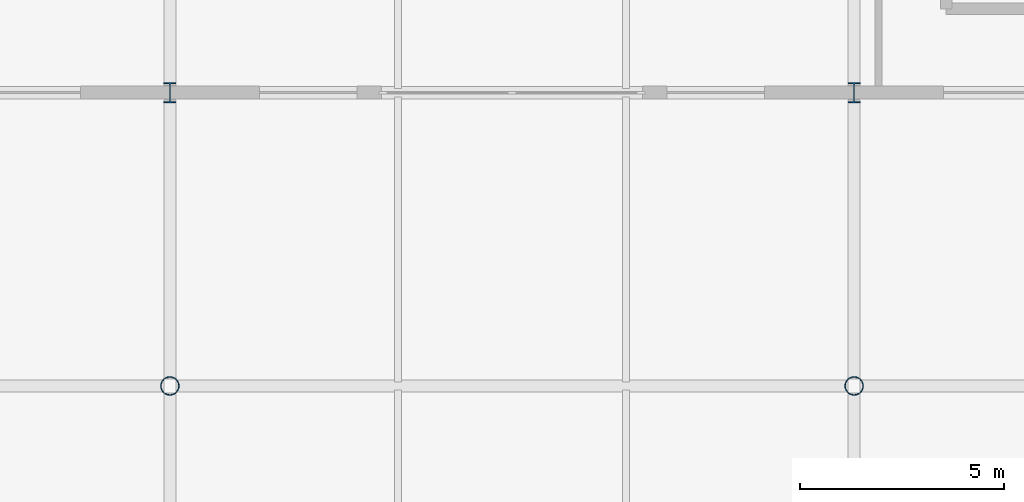
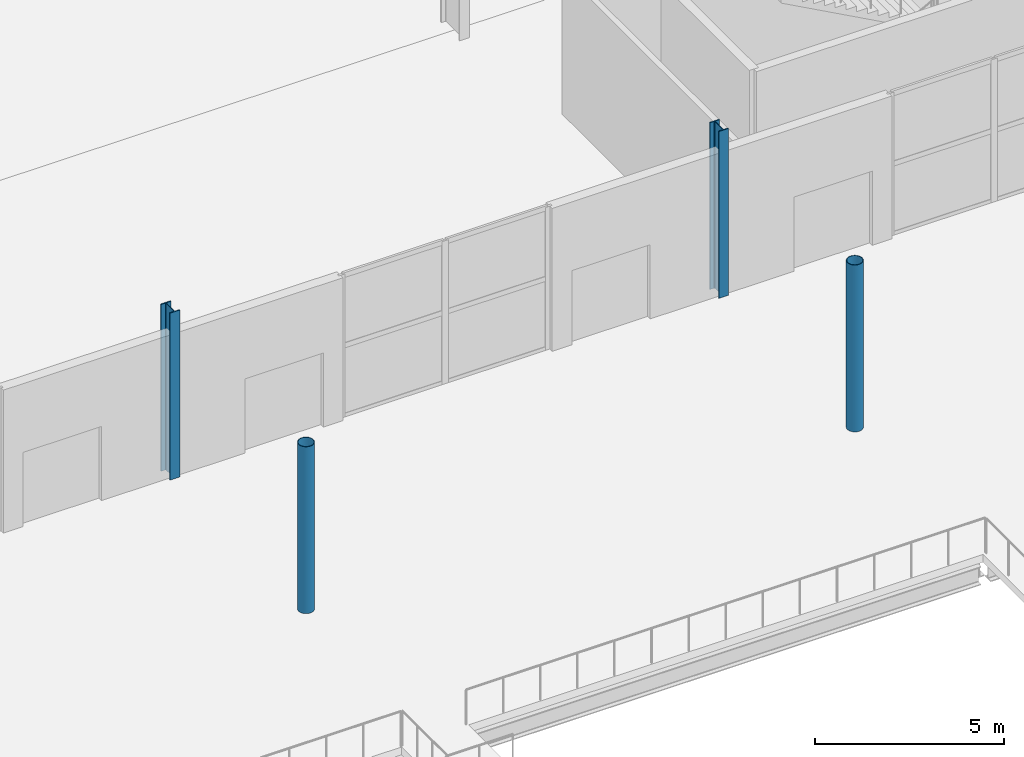
# One storey, part 6 of 87: 4 columns.
"""IFC4 building model written with IfcOpenShell, lengths in metres."""

from ifc_helpers import new_model, si_unit, direction, frame, origin, origin_2d, place, context, subcontext, project, spatial, hollow_circle, i_section, extrude, material, material_profile, profile_set, type_object, element, save


model = new_model("IFC4")

# Units and contexts
model_context = context("Model", 3, precision=1e-05, world=origin(), true_north=direction((0.0, 1.0)))
body_context = subcontext(model_context, "Body", "Model", "MODEL_VIEW")
ifc_project = project(units=[si_unit("LENGTHUNIT", "METRE"), si_unit("AREAUNIT", "SQUARE_METRE"), si_unit("VOLUMEUNIT", "CUBIC_METRE"), si_unit("PLANEANGLEUNIT", "RADIAN"), si_unit("MASSUNIT", "GRAM", prefix="KILO")], contexts=[model_context])

# Site, building, storey
site_placement = place(None, origin())
site = spatial("IfcSite", under=ifc_project, at=site_placement, CompositionType="ELEMENT")
building_placement = place(site_placement, origin())
building = spatial("IfcBuilding", under=site, at=building_placement, Name="Kimbaza Rail Terminus", CompositionType="ELEMENT")
storey_placement = place(building_placement, origin())
storey = spatial("IfcBuildingStorey", under=building, at=storey_placement, Name="L00", CompositionType="ELEMENT", Elevation=0.0)

# Columns
ifc_material_1 = material(Name="White painted steel S355", Category="steel")
ifc_material_profile_1 = material_profile(ifc_material_1, hollow_circle(Radius=0.228515625, WallThickness=0.01611328125, at=origin_2d()), Name="CHS 457x16")
ifc_profile_set_1 = profile_set([ifc_material_profile_1], Name="White painted steel S355")
column_type_1 = type_object("IfcColumnType", Name="STR-COL-CHS457", PredefinedType="COLUMN", material=ifc_profile_set_1)
for number, where, z_axis, x_axis, name in (
    (1, (122.39990234375, 33.800048828125, 0.0), (0.0, 0.0, 1.0), (1.0, 0.0, 0.0), "Colonnade Column L00 #5"),
    (2, (139.199951171875, 33.800048828125, 0.0), (0.0, 0.0, 1.0), (1.0, 0.0, 0.0), "Colonnade Column L00 #6"),
):
    element("IfcColumn", number, at=place(storey_placement, frame(where, z_axis=z_axis, x_axis=x_axis)), inside=storey, type_object=column_type_1, Name=name, PredefinedType="COLUMN", context=body_context, shape_type="SweptSolid", body=[
        extrude(hollow_circle(Radius=0.228515625, WallThickness=0.01611328125, at=origin_2d()), origin(), (0.0, 0.0, 1.0), 5.39990234375),
    ])
ifc_material_2 = material(Name="Steel S355", Category="steel")
ifc_material_profile_2 = material_profile(ifc_material_2, i_section(OverallWidth=0.300048828125, OverallDepth=0.5, WebThickness=0.014404296875, FlangeThickness=0.028076171875, FilletRadius=0.027099609375, at=origin_2d()), Name="HEB 500")
ifc_profile_set_2 = profile_set([ifc_material_profile_2], Name="Steel S355")
column_type_2 = type_object("IfcColumnType", Name="STR-COL-HEB500", PredefinedType="COLUMN", material=ifc_profile_set_2)
for number, where, z_axis, x_axis, name in (
    (3, (122.39990234375, 41.0, 0.0), (0.0, 0.0, 1.0), (1.0, 0.0, 0.0), "South Hall Column L00"),
    (4, (139.199951171875, 41.0, 0.0), (0.0, 0.0, 1.0), (1.0, 0.0, 0.0), "South Hall Column L00"),
):
    element("IfcColumn", number, at=place(storey_placement, frame(where, z_axis=z_axis, x_axis=x_axis)), inside=storey, type_object=column_type_2, Name=name, PredefinedType="COLUMN", context=body_context, shape_type="SweptSolid", body=[
        extrude(i_section(OverallWidth=0.300048828125, OverallDepth=0.5, WebThickness=0.014404296875, FlangeThickness=0.028076171875, FilletRadius=0.027099609375, at=origin_2d()), origin(), (0.0, 0.0, 1.0), 5.39990234375),
    ])

save(model, "model.ifc")
